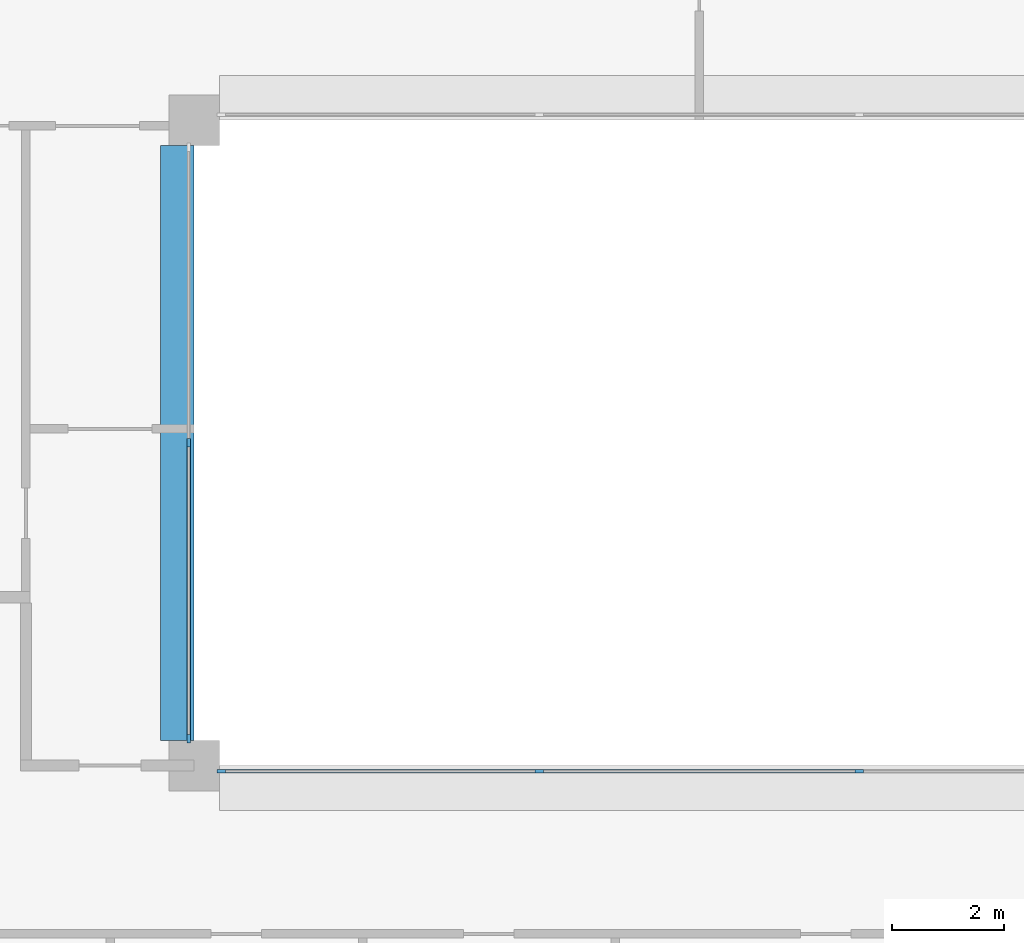
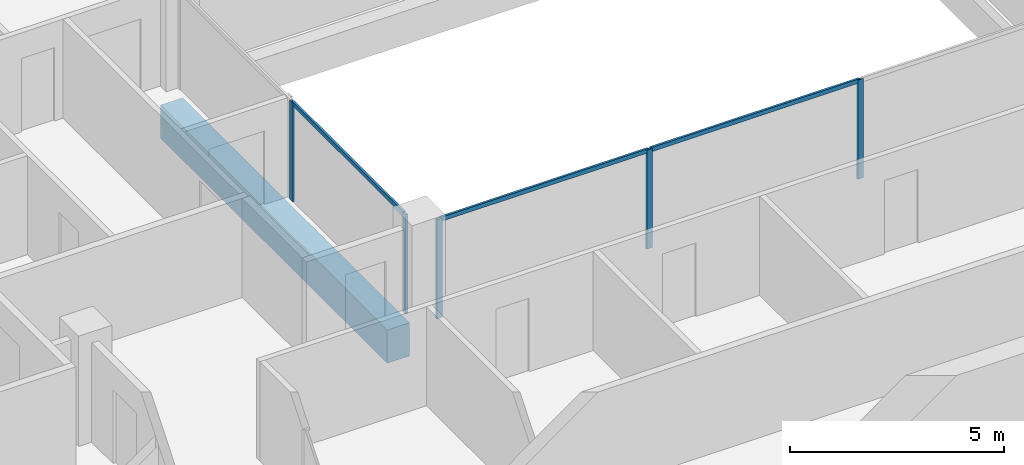
# One storey, part 2 of 15: 8 members, 1 beam, 2 elements without a shape of their own.
"""IFC4 building model written with IfcOpenShell, lengths in metres."""

from ifc_helpers import new_model, si_unit, direction, frame, origin, origin_2d, place, context, subcontext, project, spatial, rectangle, extrude, material, layer, layer_set, material_profile, profile_set, type_object, element, aggregate, save


model = new_model("IFC4")

# Units and contexts
model_context = context("Model", 3, precision=1e-05, world=origin(), true_north=direction((0.0, 1.0)))
body_context = subcontext(model_context, "Body", "Model", "MODEL_VIEW")
ifc_project = project(units=[si_unit("LENGTHUNIT", "METRE"), si_unit("AREAUNIT", "SQUARE_METRE"), si_unit("VOLUMEUNIT", "CUBIC_METRE"), si_unit("PLANEANGLEUNIT", "RADIAN"), si_unit("MASSUNIT", "GRAM", prefix="KILO")], contexts=[model_context])

# Site, building, storey
site_placement = place(None, origin())
site = spatial("IfcSite", under=ifc_project, at=site_placement, CompositionType="ELEMENT")
building_placement = place(site_placement, origin())
building = spatial("IfcBuilding", under=site, at=building_placement, Name="Brigalow Station Residences", CompositionType="ELEMENT")
storey_placement = place(building_placement, frame((0.0, 0.0, 229.5)))
storey = spatial("IfcBuildingStorey", under=building, at=storey_placement, Name="L66", CompositionType="ELEMENT", Elevation=229.5)

# Beam
ifc_material_1 = material(Name="Concrete C65", Category="concrete")
ifc_material_profile_1 = material_profile(ifc_material_1, rectangle(XDim=0.60009765625, YDim=0.949951171875, at=origin_2d()), Name="RC600x950")
ifc_profile_set_1 = profile_set([ifc_material_profile_1], Name="Concrete C65")
beam_type = type_object("IfcBeamType", Name="ATRIUM EDGE GIRDER 600x950 C65", PredefinedType="BEAM", material=ifc_profile_set_1)
beam_placement = place(storey_placement, frame((26.699951171875, 24.449951171875, -0.794921875), z_axis=(0.0, 1.0, 0.0), x_axis=(-1.0, 0.0, 0.0)))
element("IfcBeam", 1, at=beam_placement, inside=storey, type_object=beam_type, Name="ATRIUM EDGE GIRDER 3 L66", PredefinedType="BEAM", context=body_context, shape_type="SweptSolid", body=[
    extrude(rectangle(XDim=0.60009765625, YDim=0.949951171875, at=origin_2d()), origin(), (0.0, 0.0, 1.0), 10.60009765625),
])

# Curtain wall, members
ifc_material_2 = material(Name="Aluminium", Category="aluminium")
ifc_layer = layer(ifc_material_2, 0.14990234375)
ifc_layer_set = layer_set([ifc_layer], Name="ATRIUM FIRE-RATED GLAZING CURTAIN WALL")
curtain_wall_type = type_object("IfcCurtainWallType", Name="ATRIUM FIRE-RATED GLAZING CURTAIN WALL", PredefinedType="NOTDEFINED", material=ifc_layer_set)
curtain_wall_1_placement = place(storey_placement, origin())
curtain_wall_1 = element("IfcCurtainWall", 2, at=curtain_wall_1_placement, inside=storey, type_object=curtain_wall_type, Name="L66/cw/atrium-S", PredefinedType="NOTDEFINED")
ifc_material_3 = material(Name="Aluminium", Category="aluminium")
ifc_material_profile_2 = material_profile(ifc_material_3, rectangle(XDim=0.06005859375, YDim=0.14990234375, at=origin_2d()), Name="ATRIUM FIRE-RATED GLAZING MULLION 60x150")
ifc_profile_set_2 = profile_set([ifc_material_profile_2], Name="Aluminium")
member_type_1 = type_object("IfcMemberType", Name="ATRIUM FIRE-RATED GLAZING MULLION 60x150", PredefinedType="MULLION", material=ifc_profile_set_2)
member_1_placement = place(storey_placement, frame((27.47998046875, 23.89990234375, 0.0), z_axis=(0.0, 0.0, 1.0), x_axis=(0.0, 1.0, 0.0)))
member_1 = element("IfcMember", 3, at=member_1_placement, type_object=member_type_1, Name="L66/cw/atrium-S/M00", PredefinedType="MULLION", context=body_context, shape_type="SweptSolid", body=[
    extrude(rectangle(XDim=0.06005859375, YDim=0.14990234375, at=origin_2d()), origin(), (0.0, 0.0, 1.0), 2.830078125),
])
member_2_placement = place(storey_placement, frame((33.14990234375, 23.89990234375, 0.0), z_axis=(0.0, 0.0, 1.0), x_axis=(0.0, 1.0, 0.0)))
member_2 = element("IfcMember", 4, at=member_2_placement, type_object=member_type_1, Name="L66/cw/atrium-S/M01", PredefinedType="MULLION", context=body_context, shape_type="SweptSolid", body=[
    extrude(rectangle(XDim=0.06005859375, YDim=0.14990234375, at=origin_2d()), origin(), (0.0, 0.0, 1.0), 2.830078125),
])
member_3_placement = place(storey_placement, frame((38.85009765625, 23.89990234375, 0.0), z_axis=(0.0, 0.0, 1.0), x_axis=(0.0, 1.0, 0.0)))
member_3 = element("IfcMember", 5, at=member_3_placement, type_object=member_type_1, Name="L66/cw/atrium-S/M02", PredefinedType="MULLION", context=body_context, shape_type="SweptSolid", body=[
    extrude(rectangle(XDim=0.06005859375, YDim=0.14990234375, at=origin_2d()), origin(), (0.0, 0.0, 1.0), 2.830078125),
])

curtain_wall_2_placement = place(storey_placement, origin())
curtain_wall_2 = element("IfcCurtainWall", 6, at=curtain_wall_2_placement, inside=storey, type_object=curtain_wall_type, Name="L66/cw/atrium-W", PredefinedType="NOTDEFINED")
member_4_placement = place(storey_placement, frame((26.89990234375, 29.75, 0.0), z_axis=(0.0, 0.0, 1.0), x_axis=(1.0, 0.0, 0.0)))
member_4 = element("IfcMember", 7, at=member_4_placement, type_object=member_type_1, Name="L66/cw/atrium-W/M01", PredefinedType="MULLION", context=body_context, shape_type="SweptSolid", body=[
    extrude(rectangle(XDim=0.06005859375, YDim=0.14990234375, at=origin_2d()), origin(), (0.0, 0.0, 1.0), 2.830078125),
])
member_5_placement = place(storey_placement, frame((26.89990234375, 24.47998046875, 0.0), z_axis=(0.0, 0.0, 1.0), x_axis=(1.0, 0.0, 0.0)))
member_5 = element("IfcMember", 8, at=member_5_placement, type_object=member_type_1, Name="L66/cw/atrium-W/M02", PredefinedType="MULLION", context=body_context, shape_type="SweptSolid", body=[
    extrude(rectangle(XDim=0.06005859375, YDim=0.14990234375, at=origin_2d()), origin(), (0.0, 0.0, 1.0), 2.830078125),
])

# Member
ifc_material_4 = material(Name="Aluminium", Category="aluminium")
ifc_material_profile_3 = material_profile(ifc_material_4, rectangle(XDim=0.06005859375, YDim=0.1201171875, at=origin_2d()), Name="ATRIUM FIRE-RATED GLAZING TRANSOM 60x120")
ifc_profile_set_3 = profile_set([ifc_material_profile_3], Name="Aluminium")
member_type_2 = type_object("IfcMemberType", Name="ATRIUM FIRE-RATED GLAZING TRANSOM 60x120", PredefinedType="USERDEFINED", material=ifc_profile_set_3)
member_6_placement = place(storey_placement, frame((27.510009765625, 23.89990234375, 2.800048828125), z_axis=(1.0, 0.0, 0.0), x_axis=(0.0, 1.0, 0.0)))
member_6 = element("IfcMember", 9, at=member_6_placement, type_object=member_type_2, Name="L66/cw/atrium-S/T00-00", ObjectType="TRANSOM", PredefinedType="USERDEFINED", context=body_context, shape_type="SweptSolid", body=[
    extrude(rectangle(XDim=0.06005859375, YDim=0.1201171875, at=origin_2d()), origin(), (0.0, 0.0, 1.0), 5.610107421875),
])

member_7_placement = place(storey_placement, frame((33.179931640625, 23.89990234375, 2.800048828125), z_axis=(1.0, 0.0, 0.0), x_axis=(0.0, 1.0, 0.0)))
member_7 = element("IfcMember", 10, at=member_7_placement, type_object=member_type_2, Name="L66/cw/atrium-S/T01-00", ObjectType="TRANSOM", PredefinedType="USERDEFINED", context=body_context, shape_type="SweptSolid", body=[
    extrude(rectangle(XDim=0.06005859375, YDim=0.1201171875, at=origin_2d()), origin(), (0.0, 0.0, 1.0), 5.64013671875),
])

aggregate(curtain_wall_1, [member_1, member_2, member_3, member_6, member_7])

member_8_placement = place(storey_placement, frame((26.89990234375, 29.719970703125, 2.800048828125), z_axis=(0.0, -1.0, 0.0), x_axis=(1.0, 0.0, 0.0)))
member_8 = element("IfcMember", 11, at=member_8_placement, type_object=member_type_2, Name="L66/cw/atrium-W/T01-00", ObjectType="TRANSOM", PredefinedType="USERDEFINED", context=body_context, shape_type="SweptSolid", body=[
    extrude(rectangle(XDim=0.06005859375, YDim=0.1201171875, at=origin_2d()), origin(), (0.0, 0.0, 1.0), 5.2099609375),
])

aggregate(curtain_wall_2, [member_4, member_5, member_8])

save(model, "model.ifc")
